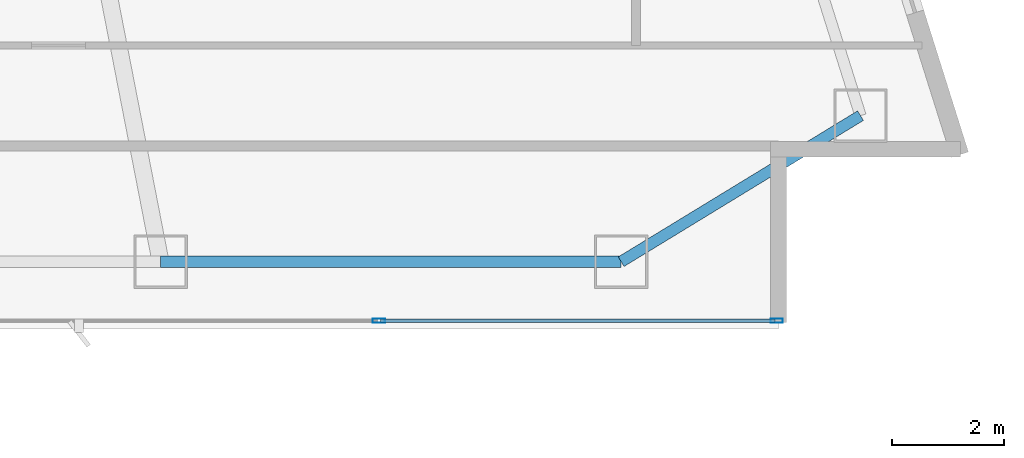
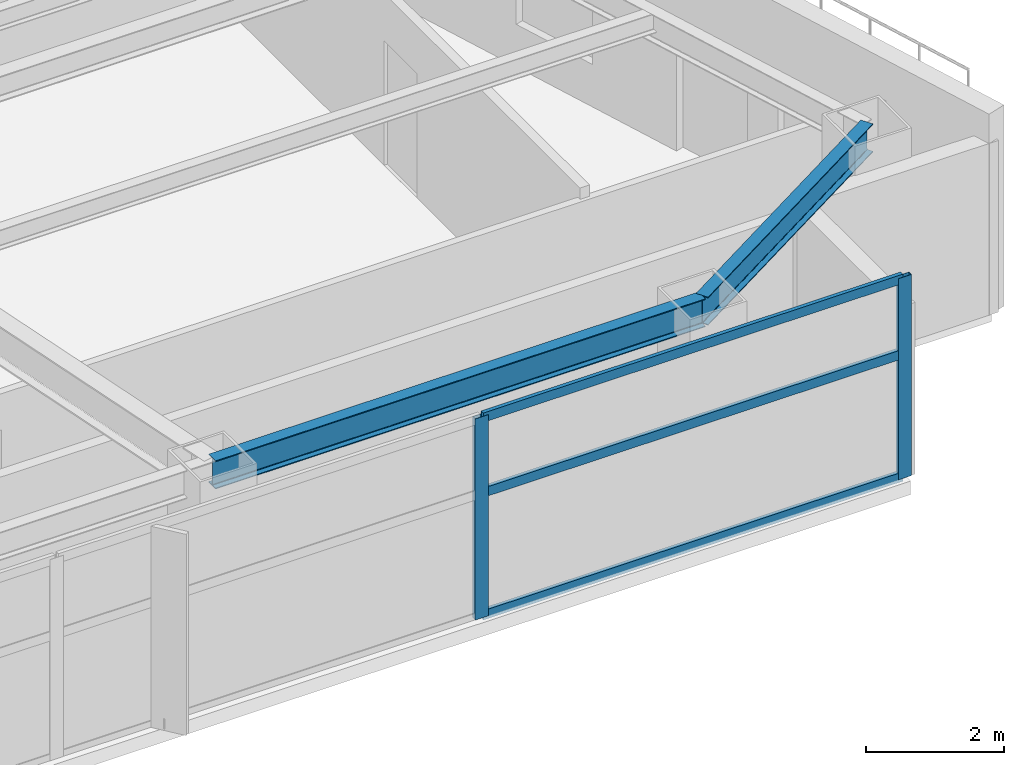
# One storey, part 14 of 30: 5 members, 2 beams, 1 element without a shape of its own.
"""IFC4 building model written with IfcOpenShell, lengths in metres."""

import ifcopenshell
import ifcopenshell.guid

model = None  # the IFC model being written
_history = None  # IfcOwnerHistory: only IFC2X3 demands one
_inside = {}  # id of a spatial element -> (the spatial element, [elements in it])
_under = {}  # id of a project, library or spatial element -> (it, [spatial elements below it])
_declared = {}  # id of a project -> (the project, [libraries it declares])
_typed = {}  # id of a type object -> (the type object, [elements of that type])
_made_of = {}  # id of a material, layer set ... -> (it, [elements and type objects made of it])


def new_model(schema):
    """Start an empty IFC model of exactly this schema.

    Asked for "IFC4X3", IfcOpenShell would pick the latest addendum, in which some entities
    have other attributes; the version numbers below select the first issue.
    IFC2X3 requires an IfcOwnerHistory on every rooted entity: one is made here for all.
    """
    global model, _history
    if schema == "IFC4X3":
        model = ifcopenshell.file(schema_version=(4, 3, 0, 0))
    else:
        model = ifcopenshell.file(schema=schema)
    _inside.clear()
    _under.clear()
    _declared.clear()
    _typed.clear()
    _made_of.clear()
    _history = None
    if model.schema == "IFC2X3":
        org = make("IfcOrganization", Name="unknown")
        user = make(
            "IfcPersonAndOrganization",
            ThePerson=make("IfcPerson", FamilyName="unknown"),
            TheOrganization=org,
        )
        app = make(
            "IfcApplication",
            ApplicationDeveloper=org,
            Version="unknown",
            ApplicationFullName="unknown",
            ApplicationIdentifier="unknown",
        )
        _history = make(
            "IfcOwnerHistory",
            OwningUser=user,
            OwningApplication=app,
            ChangeAction="ADDED",
            CreationDate=0,
        )
    return model


def make(cls, **values):
    """One entity of the class cls with the attributes given. An attribute that is None is left unset."""
    return model.create_entity(
        cls, **{name: value for name, value in values.items() if value is not None}
    )


def rooted(cls, **values):
    """An entity with a GlobalId (a new one), such as an element, a storey or a relation."""
    return make(cls, GlobalId=ifcopenshell.guid.new(), OwnerHistory=_history, **values)


def si_unit(unit_type, name, prefix=None):
    """IfcSIUnit, for example si_unit("LENGTHUNIT", "METRE", prefix="MILLI")."""
    return make("IfcSIUnit", UnitType=unit_type, Prefix=prefix, Name=name)


def assignment(units):
    """IfcUnitAssignment: the units of a project."""
    return None if units is None else make("IfcUnitAssignment", Units=units)


def point(xyz):
    """IfcCartesianPoint."""
    return None if xyz is None else make("IfcCartesianPoint", Coordinates=xyz)


def direction(xyz):
    """IfcDirection."""
    return None if xyz is None else make("IfcDirection", DirectionRatios=xyz)


def frame(location, z_axis=None, x_axis=None):
    """IfcAxis2Placement3D, a coordinate frame: its origin and axes. An axis left out is left unset."""
    return make(
        "IfcAxis2Placement3D",
        Location=point(location),
        Axis=direction(z_axis),
        RefDirection=direction(x_axis),
    )


def frame_2d(location, x_axis=None):
    """IfcAxis2Placement2D, a coordinate frame in the plane: its origin and x axis."""
    return make(
        "IfcAxis2Placement2D", Location=point(location), RefDirection=direction(x_axis)
    )


def origin():
    """The frame at (0, 0, 0) with its axes left unset."""
    return frame((0.0, 0.0, 0.0))


def origin_2d():
    """The frame at (0, 0) in the plane with its x axis left unset."""
    return frame_2d((0.0, 0.0))


def place(relative_to, where):
    """IfcLocalPlacement: puts the frame where relative to a parent placement (None: the world)."""
    return make(
        "IfcLocalPlacement", PlacementRelTo=relative_to, RelativePlacement=where
    )


def context(
    kind, dimensions, precision=None, world=None, true_north=None, identifier=None
):
    """IfcGeometricRepresentationContext, for example the 3D "Model" context."""
    return make(
        "IfcGeometricRepresentationContext",
        ContextIdentifier=identifier,
        ContextType=kind,
        CoordinateSpaceDimension=dimensions,
        Precision=precision,
        WorldCoordinateSystem=world,
        TrueNorth=true_north,
    )


def subcontext(parent, identifier, kind, view, scale=None):
    """IfcGeometricRepresentationSubContext, for example "Body" below "Model"."""
    return make(
        "IfcGeometricRepresentationSubContext",
        ContextIdentifier=identifier,
        ContextType=kind,
        ParentContext=parent,
        TargetScale=scale,
        TargetView=view,
    )


def project(units=None, contexts=None):
    """IfcProject with its units and contexts."""
    return rooted(
        "IfcProject",
        Name="project",
        RepresentationContexts=contexts,
        UnitsInContext=assignment(units),
    )


def spatial(cls, under=None, at=None, **own):
    """A site, building, storey or space (cls), placed at a placement, below another one or the project."""
    s = rooted(cls, ObjectPlacement=at, **own)
    if under is not None:
        _under.setdefault(under.id(), (under, []))[1].append(s)
    return s


def profile(cls, at=None, kind="AREA", **sizes):
    """A parametric profile (cls). Its sizes go by their IFC names, for example OverallWidth=200.0."""
    return make(cls, ProfileType=kind, Position=at, **sizes)


def hollow_rectangle(**sizes):
    """IfcRectangleHollowProfileDef."""
    return profile("IfcRectangleHollowProfileDef", **sizes)


def i_section(**sizes):
    """IfcIShapeProfileDef."""
    return profile("IfcIShapeProfileDef", **sizes)


def extrude(swept, where, along, depth):
    """IfcExtrudedAreaSolid: the profile swept, set in the frame where, extruded along a direction by depth."""
    return make(
        "IfcExtrudedAreaSolid",
        SweptArea=swept,
        Position=where,
        ExtrudedDirection=direction(along),
        Depth=depth,
    )


def shape(context_of_items, identifier, shape_type, items):
    """IfcShapeRepresentation: the items that make up one representation, for example the "Body"."""
    return make(
        "IfcShapeRepresentation",
        ContextOfItems=context_of_items,
        RepresentationIdentifier=identifier,
        RepresentationType=shape_type,
        Items=items,
    )


def material(Name=None, Category=None):
    """IfcMaterial."""
    return make("IfcMaterial", Name=Name, Category=Category)


def layer(
    of_material, thickness, ventilated=None, Name=None, Category=None, Priority=None
):
    """IfcMaterialLayer: one layer of a wall or slab, of a material (None: an air gap)."""
    return make(
        "IfcMaterialLayer",
        Material=of_material,
        LayerThickness=thickness,
        IsVentilated=ventilated,
        Name=Name,
        Category=Category,
        Priority=Priority,
    )


def layer_set(layers, Name=None):
    """IfcMaterialLayerSet."""
    return make("IfcMaterialLayerSet", MaterialLayers=layers, LayerSetName=Name)


def material_profile(
    of_material, cross_section, Name=None, Category=None, Priority=None
):
    """IfcMaterialProfile: a cross section and its material."""
    return make(
        "IfcMaterialProfile",
        Name=Name,
        Material=of_material,
        Profile=cross_section,
        Priority=Priority,
        Category=Category,
    )


def profile_set(profiles, Name=None, composite=None):
    """IfcMaterialProfileSet."""
    return make(
        "IfcMaterialProfileSet",
        Name=Name,
        MaterialProfiles=profiles,
        CompositeProfile=composite,
    )


def made_of(thing, what):
    """Note that an element or type object is made of a material, layer set ...; save() writes the relation."""
    if what is not None:
        _made_of.setdefault(what.id(), (what, []))[1].append(thing)
    return thing


def type_object(cls, material=None, **own):
    """A type object (cls), such as IfcWallType, which elements share."""
    return made_of(rooted(cls, **own), material)


def element(
    cls,
    number,
    at=None,
    inside=None,
    cuts=None,
    type_object=None,
    material=None,
    context=None,
    identifier="Body",
    shape_type=None,
    held_by="IfcProductDefinitionShape",
    body=None,
    shapes=None,
    **own,
):
    """One element of the class cls, such as IfcWall. Its Tag is "e" and its number.

    at: its placement. inside: the storey or other place that contains it. cuts: it is an
    opening in that element (IfcRelVoidsElement). A single representation is given by context,
    identifier, shape_type and body (its items); several are given by shapes. held_by: the class
    of the entity that holds the representations. save() writes the other relations.
    """
    e = rooted(cls, Tag="e%d" % number, ObjectPlacement=at, **own)
    if body is not None:
        shapes = [shape(context, identifier, shape_type, body)]
    if shapes is not None:
        e.Representation = make(held_by, Representations=shapes)
    if inside is not None:
        _inside.setdefault(inside.id(), (inside, []))[1].append(e)
    if cuts is not None:
        rooted(
            "IfcRelVoidsElement", RelatingBuildingElement=cuts, RelatedOpeningElement=e
        )
    if type_object is not None:
        _typed.setdefault(type_object.id(), (type_object, []))[1].append(e)
    return made_of(e, material)


def aggregate(whole, parts):
    """IfcRelAggregates: a whole, such as a stair, and the parts it consists of."""
    return rooted("IfcRelAggregates", RelatingObject=whole, RelatedObjects=parts)


def save(model, path):
    """Write the relations noted so far, then the file.

    IfcRelAggregates (storeys below a building ...), IfcRelContainedInSpatialStructure (elements
    in a storey), IfcRelDefinesByType, IfcRelAssociatesMaterial and IfcRelDeclares: one each for
    every whole, place, type object, material and project.
    """
    for whole, parts in _under.values():
        aggregate(whole, parts)
    for where, things in _inside.values():
        rooted(
            "IfcRelContainedInSpatialStructure",
            RelatedElements=things,
            RelatingStructure=where,
        )
    for kind, things in _typed.values():
        rooted("IfcRelDefinesByType", RelatedObjects=things, RelatingType=kind)
    for what, things in _made_of.values():
        rooted("IfcRelAssociatesMaterial", RelatedObjects=things, RelatingMaterial=what)
    for by, libraries in _declared.values():
        rooted("IfcRelDeclares", RelatingContext=by, RelatedDefinitions=libraries)
    model.write(path)


model = new_model("IFC4")

# Units and contexts
model_context = context("Model", 3, precision=1e-05, world=origin(), true_north=direction((0.0, 1.0)))
body_context = subcontext(model_context, "Body", "Model", "MODEL_VIEW")
ifc_project = project(units=[si_unit("LENGTHUNIT", "METRE"), si_unit("AREAUNIT", "SQUARE_METRE"), si_unit("VOLUMEUNIT", "CUBIC_METRE"), si_unit("PLANEANGLEUNIT", "RADIAN"), si_unit("MASSUNIT", "GRAM", prefix="KILO")], contexts=[model_context])

# Site, building, storey
site_placement = place(None, origin())
site = spatial("IfcSite", under=ifc_project, at=site_placement, CompositionType="ELEMENT")
building_placement = place(site_placement, origin())
building = spatial("IfcBuilding", under=site, at=building_placement, Name="Calvorn Quay Hotel", CompositionType="ELEMENT")
storey_placement = place(building_placement, frame((0.0, 0.0, 77.39990234375)))
storey = spatial("IfcBuildingStorey", under=building, at=storey_placement, Name="L18", CompositionType="ELEMENT", Elevation=77.39990234375)

# Beams
ifc_material_1 = material(Name="Steel Q355B", Category="steel")
ifc_material_profile_1 = material_profile(ifc_material_1, i_section(OverallWidth=0.199951171875, OverallDepth=0.5, WebThickness=0.010009765625, FlangeThickness=0.01611328125, FilletRadius=0.01611328125, at=origin_2d()), Name="HN500x200x10x16")
ifc_profile_set_1 = profile_set([ifc_material_profile_1], Name="Steel Q355B")
beam_type = type_object("IfcBeamType", Name="BM-SPANDREL-Z1", PredefinedType="SPANDREL", material=ifc_profile_set_1)
beam_1_placement = place(storey_placement, frame((49.39990234375, 3.60009765625, 3.2900390625), z_axis=(1.0, 0.0, 0.0), x_axis=(0.0, 1.0, 0.0)))
element("IfcBeam", 1, at=beam_1_placement, inside=storey, type_object=beam_type, Name="Beam BSP-L18-S6", PredefinedType="SPANDREL", context=body_context, shape_type="SweptSolid", body=[
    extrude(i_section(OverallWidth=0.199951171875, OverallDepth=0.5, WebThickness=0.010009765625, FlangeThickness=0.01611328125, FilletRadius=0.01611328125, at=origin_2d()), origin(), (0.0, 0.0, 1.0), 8.2001953125),
])
beam_2_placement = place(storey_placement, frame((57.60009765625, 3.60009765625, 3.2900390625), z_axis=(0.853645546466, 0.520854376, 0.0), x_axis=(-0.520854376, 0.853645546466, 0.0)))
element("IfcBeam", 2, at=beam_2_placement, inside=storey, type_object=beam_type, Name="Beam BSP-L18-S7", PredefinedType="SPANDREL", context=body_context, shape_type="SweptSolid", body=[
    extrude(i_section(OverallWidth=0.199951171875, OverallDepth=0.5, WebThickness=0.010009765625, FlangeThickness=0.01611328125, FilletRadius=0.01611328125, at=origin_2d()), origin(), (0.0, 0.0, 1.0), 4.991455078125),
])

# Curtain wall, members
ifc_material_2 = material(Name="Pale Anodised Aluminium and Low-E Glass", Category="aluminium")
ifc_layer = layer(ifc_material_2, 0.219970703125)
ifc_layer_set = layer_set([ifc_layer], Name="CW-SYS-Z1")
curtain_wall_type = type_object("IfcCurtainWallType", Name="CW-SYS-Z1", PredefinedType="NOTDEFINED", material=ifc_layer_set)
curtain_wall_placement = place(storey_placement, origin())
curtain_wall = element("IfcCurtainWall", 3, at=curtain_wall_placement, inside=storey, type_object=curtain_wall_type, Name="Tower South Waterfront Curtain Wall (L18)", PredefinedType="NOTDEFINED")
ifc_material_3 = material(Name="Pale Anodised Aluminium 6063-T6", Category="aluminium")
ifc_material_profile_2 = material_profile(ifc_material_3, hollow_rectangle(XDim=0.074951171875, YDim=0.219970703125, WallThickness=0.00439453125, at=origin_2d()), Name="ALU-M220x75x4.5")
ifc_profile_set_2 = profile_set([ifc_material_profile_2], Name="Pale Anodised Aluminium 6063-T6")
member_type_1 = type_object("IfcMemberType", Name="CW-SYS-Z1-MUL", PredefinedType="MULLION", material=ifc_profile_set_2)
member_1_placement = place(storey_placement, frame((53.28564453125, 2.550048828125, 0.0), z_axis=(0.0, 0.0, 1.0), x_axis=(0.0, 1.0, 0.0)))
member_1 = element("IfcMember", 4, at=member_1_placement, type_object=member_type_1, Name="CW-L18-S mullion 7", PredefinedType="MULLION", context=body_context, shape_type="SweptSolid", body=[
    extrude(hollow_rectangle(XDim=0.074951171875, YDim=0.219970703125, WallThickness=0.00439453125, at=origin_2d()), origin(), (0.0, 0.0, 1.0), 3.56005859375),
])
member_2_placement = place(storey_placement, frame((60.3701171875, 2.550048828125, 0.0), z_axis=(0.0, 0.0, 1.0), x_axis=(0.0, 1.0, 0.0)))
member_2 = element("IfcMember", 5, at=member_2_placement, type_object=member_type_1, Name="CW-L18-S mullion 8", PredefinedType="MULLION", context=body_context, shape_type="SweptSolid", body=[
    extrude(hollow_rectangle(XDim=0.074951171875, YDim=0.219970703125, WallThickness=0.00439453125, at=origin_2d()), origin(), (0.0, 0.0, 1.0), 3.56005859375),
])
ifc_material_4 = material(Name="Pale Anodised Aluminium 6063-T6", Category="aluminium")
ifc_material_profile_3 = material_profile(ifc_material_4, hollow_rectangle(XDim=0.06494140625, YDim=0.1650390625, WallThickness=0.00341796875, at=origin_2d()), Name="ALU-T165x65x3.5")
ifc_profile_set_3 = profile_set([ifc_material_profile_3], Name="Pale Anodised Aluminium 6063-T6")
member_type_2 = type_object("IfcMemberType", Name="CW-SYS-Z1-TRN", PredefinedType="USERDEFINED", material=ifc_profile_set_3)
member_3_placement = place(storey_placement, frame((53.315673828125, 2.550048828125, 0.030029296875), z_axis=(1.0, 0.0, 0.0), x_axis=(0.0, 1.0, 0.0)))
member_3 = element("IfcMember", 6, at=member_3_placement, type_object=member_type_2, Name="CW-L18-S transom 7.1", ObjectType="TRANSOM", PredefinedType="USERDEFINED", context=body_context, shape_type="SweptSolid", body=[
    extrude(hollow_rectangle(XDim=0.06494140625, YDim=0.1650390625, WallThickness=0.00341796875, at=origin_2d()), origin(), (0.0, 0.0, 1.0), 7.0244140625),
])
member_4_placement = place(storey_placement, frame((53.315673828125, 2.550048828125, 2.2001953125), z_axis=(1.0, 0.0, 0.0), x_axis=(0.0, 1.0, 0.0)))
member_4 = element("IfcMember", 7, at=member_4_placement, type_object=member_type_2, Name="CW-L18-S transom 7.2", ObjectType="TRANSOM", PredefinedType="USERDEFINED", context=body_context, shape_type="SweptSolid", body=[
    extrude(hollow_rectangle(XDim=0.06494140625, YDim=0.1650390625, WallThickness=0.00341796875, at=origin_2d()), origin(), (0.0, 0.0, 1.0), 7.0244140625),
])
member_5_placement = place(storey_placement, frame((53.315673828125, 2.550048828125, 3.530029296875), z_axis=(1.0, 0.0, 0.0), x_axis=(0.0, 1.0, 0.0)))
member_5 = element("IfcMember", 8, at=member_5_placement, type_object=member_type_2, Name="CW-L18-S transom 7.3", ObjectType="TRANSOM", PredefinedType="USERDEFINED", context=body_context, shape_type="SweptSolid", body=[
    extrude(hollow_rectangle(XDim=0.06494140625, YDim=0.1650390625, WallThickness=0.00341796875, at=origin_2d()), origin(), (0.0, 0.0, 1.0), 7.0244140625),
])
aggregate(curtain_wall, [member_1, member_2, member_3, member_4, member_5])

save(model, "model.ifc")
